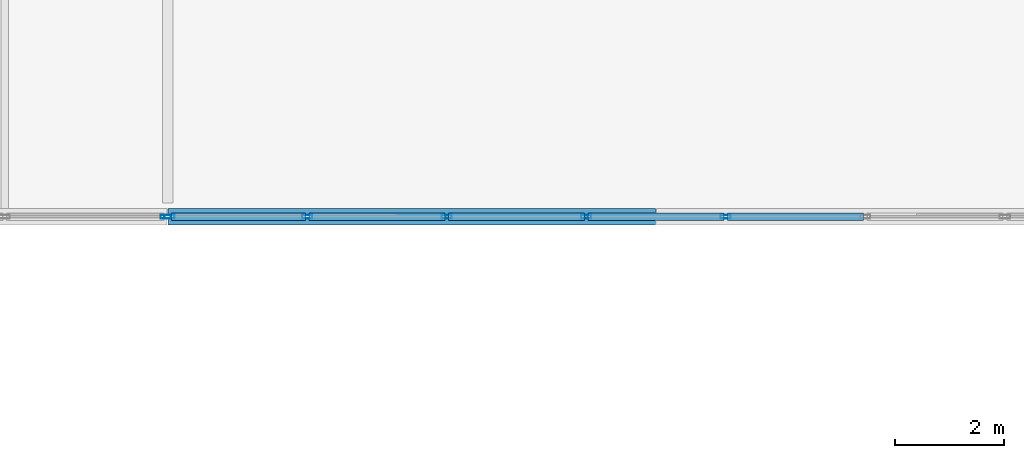
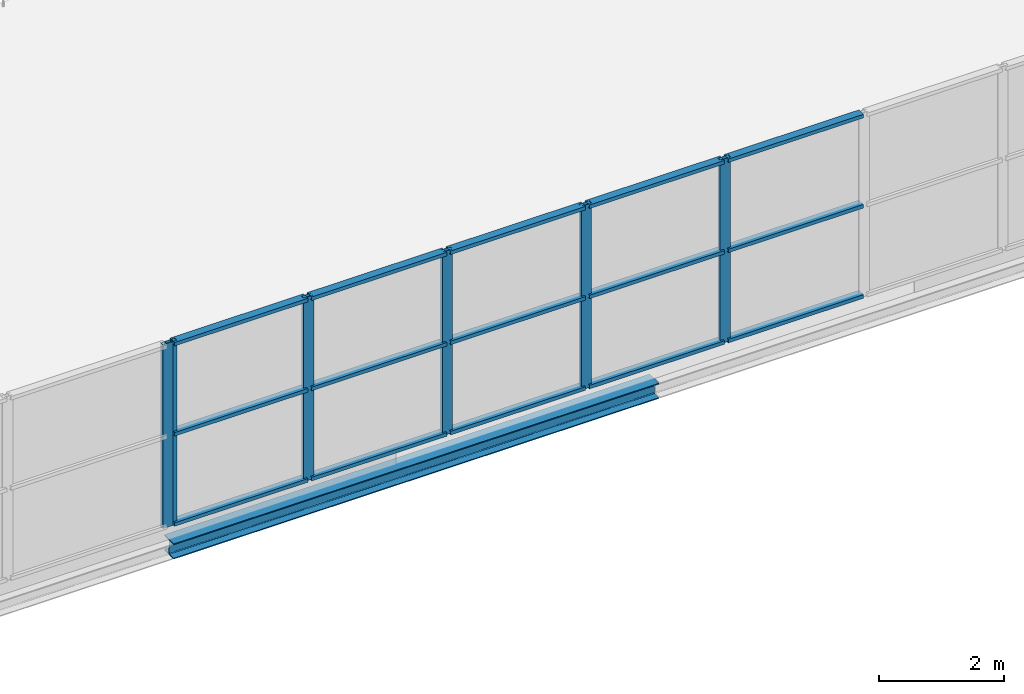
# One storey, part 20 of 88: 21 members, 1 beam, 2 elements without a shape of their own.
"""IFC4 building model written with IfcOpenShell, lengths in metres."""

from ifc_helpers import new_model, si_unit, direction, frame, origin, origin_2d, place, context, subcontext, project, spatial, hollow_rectangle, i_section, extrude, material, layer, layer_set, material_profile, profile_set, type_object, element, aggregate, save


model = new_model("IFC4")

# Units and contexts
model_context = context("Model", 3, precision=1e-05, world=origin(), true_north=direction((0.0, 1.0)))
body_context = subcontext(model_context, "Body", "Model", "MODEL_VIEW")
ifc_project = project(units=[si_unit("LENGTHUNIT", "METRE"), si_unit("AREAUNIT", "SQUARE_METRE"), si_unit("VOLUMEUNIT", "CUBIC_METRE"), si_unit("PLANEANGLEUNIT", "RADIAN"), si_unit("MASSUNIT", "GRAM", prefix="KILO")], contexts=[model_context])

# Site, building, storey
site_placement = place(None, origin())
site = spatial("IfcSite", under=ifc_project, at=site_placement, CompositionType="ELEMENT")
building_placement = place(site_placement, origin())
building = spatial("IfcBuilding", under=site, at=building_placement, Name="Deido Ridge Mobility Hub", CompositionType="ELEMENT")
storey_placement = place(building_placement, frame((0.0, 0.0, 16.800048828125)))
storey = spatial("IfcBuildingStorey", under=building, at=storey_placement, Name="L04", CompositionType="ELEMENT", Elevation=16.800048828125)

# Curtain wall, member
ifc_material_1 = material(Name="Anodised aluminium EN AW-6063 T6", Category="aluminium")
ifc_layer = layer(ifc_material_1, 0.22509765625, Name="Anodised aluminium EN AW-6063 T6")
ifc_layer_set = layer_set([ifc_layer], Name="Anodised aluminium EN AW-6063 T6")
curtain_wall_type = type_object("IfcCurtainWallType", Name="CW-UF-5", PredefinedType="USERDEFINED", material=ifc_layer_set)
curtain_wall_1_placement = place(storey_placement, origin())
curtain_wall_1 = element("IfcCurtainWall", 1, at=curtain_wall_1_placement, inside=storey, type_object=curtain_wall_type, Name="Unitised curtain wall CW5", ObjectType="UNITISED FACADE", PredefinedType="USERDEFINED")
ifc_material_profile_1 = material_profile(ifc_material_1, hollow_rectangle(XDim=0.070068359375, YDim=0.18994140625, WallThickness=0.00390625, at=origin_2d()), Name="RHS 70x190x4")
ifc_profile_set_1 = profile_set([ifc_material_profile_1], Name="Anodised aluminium EN AW-6063 T6")
member_type_1 = type_object("IfcMemberType", Name="MEM-MUL-70X190", PredefinedType="MULLION", material=ifc_profile_set_1)
member_1_placement = place(storey_placement, frame((80.965087890625, 36.0, 0.0), z_axis=(0.0, 0.0, 1.0), x_axis=(0.0, 1.0, 0.0)))
member_1 = element("IfcMember", 2, at=member_1_placement, type_object=member_type_1, Name="CW5 mullion 4", PredefinedType="MULLION", context=body_context, shape_type="SweptSolid", body=[
    extrude(hollow_rectangle(XDim=0.070068359375, YDim=0.18994140625, WallThickness=0.00390625, at=origin_2d()), origin(), (0.0, 0.0, 1.0), 3.599853515625),
])
aggregate(curtain_wall_1, [member_1])

# Curtain wall, members
curtain_wall_2_placement = place(storey_placement, origin())
curtain_wall_2 = element("IfcCurtainWall", 3, at=curtain_wall_2_placement, inside=storey, type_object=curtain_wall_type, Name="Unitised curtain wall CW5", ObjectType="UNITISED FACADE", PredefinedType="USERDEFINED")
member_2_placement = place(storey_placement, frame((81.034912109375, 36.0, 0.0), z_axis=(0.0, 0.0, 1.0), x_axis=(0.0, 1.0, 0.0)))
member_2 = element("IfcMember", 4, at=member_2_placement, type_object=member_type_1, Name="CW5 mullion 1", PredefinedType="MULLION", context=body_context, shape_type="SweptSolid", body=[
    extrude(hollow_rectangle(XDim=0.070068359375, YDim=0.18994140625, WallThickness=0.00390625, at=origin_2d()), origin(), (0.0, 0.0, 1.0), 3.599853515625),
])
member_3_placement = place(storey_placement, frame((83.571533203125, 36.0, 0.0), z_axis=(0.0, 0.0, 1.0), x_axis=(0.0, 1.0, 0.0)))
member_3 = element("IfcMember", 5, at=member_3_placement, type_object=member_type_1, Name="CW5 mullion 2", PredefinedType="MULLION", context=body_context, shape_type="SweptSolid", body=[
    extrude(hollow_rectangle(XDim=0.070068359375, YDim=0.18994140625, WallThickness=0.00390625, at=origin_2d()), origin(), (0.0, 0.0, 1.0), 3.599853515625),
])
member_4_placement = place(storey_placement, frame((86.142822265625, 36.0, 0.0), z_axis=(0.0, 0.0, 1.0), x_axis=(0.0, 1.0, 0.0)))
member_4 = element("IfcMember", 6, at=member_4_placement, type_object=member_type_1, Name="CW5 mullion 3", PredefinedType="MULLION", context=body_context, shape_type="SweptSolid", body=[
    extrude(hollow_rectangle(XDim=0.070068359375, YDim=0.18994140625, WallThickness=0.00390625, at=origin_2d()), origin(), (0.0, 0.0, 1.0), 3.599853515625),
])
member_5_placement = place(storey_placement, frame((88.71435546875, 36.0, 0.0), z_axis=(0.0, 0.0, 1.0), x_axis=(0.0, 1.0, 0.0)))
member_5 = element("IfcMember", 7, at=member_5_placement, type_object=member_type_1, Name="CW5 mullion 4", PredefinedType="MULLION", context=body_context, shape_type="SweptSolid", body=[
    extrude(hollow_rectangle(XDim=0.070068359375, YDim=0.18994140625, WallThickness=0.00390625, at=origin_2d()), origin(), (0.0, 0.0, 1.0), 3.599853515625),
])
member_6_placement = place(storey_placement, frame((91.28564453125, 36.0, 0.0), z_axis=(0.0, 0.0, 1.0), x_axis=(0.0, 1.0, 0.0)))
member_6 = element("IfcMember", 8, at=member_6_placement, type_object=member_type_1, Name="CW5 mullion 5", PredefinedType="MULLION", context=body_context, shape_type="SweptSolid", body=[
    extrude(hollow_rectangle(XDim=0.070068359375, YDim=0.18994140625, WallThickness=0.00390625, at=origin_2d()), origin(), (0.0, 0.0, 1.0), 3.599853515625),
])
ifc_material_profile_2 = material_profile(ifc_material_1, hollow_rectangle(XDim=0.14501953125, YDim=0.070068359375, WallThickness=0.00390625, at=origin_2d()), Name="RHS 145x70x4")
ifc_profile_set_2 = profile_set([ifc_material_profile_2], Name="Anodised aluminium EN AW-6063 T6")
member_type_2 = type_object("IfcMemberType", Name="MEM-TRN-145X70", PredefinedType="USERDEFINED", material=ifc_profile_set_2)
member_7_placement = place(storey_placement, frame((81.070068359375, 36.0, 0.034912109375), z_axis=(1.0, 0.0, 0.0), x_axis=(0.0, 1.0, 0.0)))
member_7 = element("IfcMember", 9, at=member_7_placement, type_object=member_type_2, Name="CW5 transom 1.1", ObjectType="TRANSOM", PredefinedType="USERDEFINED", context=body_context, shape_type="SweptSolid", body=[
    extrude(hollow_rectangle(XDim=0.14501953125, YDim=0.070068359375, WallThickness=0.00390625, at=origin_2d()), origin(), (0.0, 0.0, 1.0), 2.46630859375),
])
member_8_placement = place(storey_placement, frame((81.070068359375, 36.0, 1.800048828125), z_axis=(1.0, 0.0, 0.0), x_axis=(0.0, 1.0, 0.0)))
member_8 = element("IfcMember", 10, at=member_8_placement, type_object=member_type_2, Name="CW5 transom 1.2", ObjectType="TRANSOM", PredefinedType="USERDEFINED", context=body_context, shape_type="SweptSolid", body=[
    extrude(hollow_rectangle(XDim=0.14501953125, YDim=0.070068359375, WallThickness=0.00390625, at=origin_2d()), origin(), (0.0, 0.0, 1.0), 2.46630859375),
])
member_9_placement = place(storey_placement, frame((81.070068359375, 36.0, 3.56494140625), z_axis=(1.0, 0.0, 0.0), x_axis=(0.0, 1.0, 0.0)))
member_9 = element("IfcMember", 11, at=member_9_placement, type_object=member_type_2, Name="CW5 transom 1.3", ObjectType="TRANSOM", PredefinedType="USERDEFINED", context=body_context, shape_type="SweptSolid", body=[
    extrude(hollow_rectangle(XDim=0.14501953125, YDim=0.070068359375, WallThickness=0.00390625, at=origin_2d()), origin(), (0.0, 0.0, 1.0), 2.46630859375),
])
member_10_placement = place(storey_placement, frame((83.6064453125, 36.0, 0.034912109375), z_axis=(1.0, 0.0, 0.0), x_axis=(0.0, 1.0, 0.0)))
member_10 = element("IfcMember", 12, at=member_10_placement, type_object=member_type_2, Name="CW5 transom 2.1", ObjectType="TRANSOM", PredefinedType="USERDEFINED", context=body_context, shape_type="SweptSolid", body=[
    extrude(hollow_rectangle(XDim=0.14501953125, YDim=0.070068359375, WallThickness=0.00390625, at=origin_2d()), origin(), (0.0, 0.0, 1.0), 2.50146484375),
])
member_11_placement = place(storey_placement, frame((83.6064453125, 36.0, 1.800048828125), z_axis=(1.0, 0.0, 0.0), x_axis=(0.0, 1.0, 0.0)))
member_11 = element("IfcMember", 13, at=member_11_placement, type_object=member_type_2, Name="CW5 transom 2.2", ObjectType="TRANSOM", PredefinedType="USERDEFINED", context=body_context, shape_type="SweptSolid", body=[
    extrude(hollow_rectangle(XDim=0.14501953125, YDim=0.070068359375, WallThickness=0.00390625, at=origin_2d()), origin(), (0.0, 0.0, 1.0), 2.50146484375),
])
member_12_placement = place(storey_placement, frame((83.6064453125, 36.0, 3.56494140625), z_axis=(1.0, 0.0, 0.0), x_axis=(0.0, 1.0, 0.0)))
member_12 = element("IfcMember", 14, at=member_12_placement, type_object=member_type_2, Name="CW5 transom 2.3", ObjectType="TRANSOM", PredefinedType="USERDEFINED", context=body_context, shape_type="SweptSolid", body=[
    extrude(hollow_rectangle(XDim=0.14501953125, YDim=0.070068359375, WallThickness=0.00390625, at=origin_2d()), origin(), (0.0, 0.0, 1.0), 2.50146484375),
])
member_13_placement = place(storey_placement, frame((86.177978515625, 36.0, 0.034912109375), z_axis=(1.0, 0.0, 0.0), x_axis=(0.0, 1.0, 0.0)))
member_13 = element("IfcMember", 15, at=member_13_placement, type_object=member_type_2, Name="CW5 transom 3.1", ObjectType="TRANSOM", PredefinedType="USERDEFINED", context=body_context, shape_type="SweptSolid", body=[
    extrude(hollow_rectangle(XDim=0.14501953125, YDim=0.070068359375, WallThickness=0.00390625, at=origin_2d()), origin(), (0.0, 0.0, 1.0), 2.501220703125),
])
member_14_placement = place(storey_placement, frame((86.177978515625, 36.0, 1.800048828125), z_axis=(1.0, 0.0, 0.0), x_axis=(0.0, 1.0, 0.0)))
member_14 = element("IfcMember", 16, at=member_14_placement, type_object=member_type_2, Name="CW5 transom 3.2", ObjectType="TRANSOM", PredefinedType="USERDEFINED", context=body_context, shape_type="SweptSolid", body=[
    extrude(hollow_rectangle(XDim=0.14501953125, YDim=0.070068359375, WallThickness=0.00390625, at=origin_2d()), origin(), (0.0, 0.0, 1.0), 2.501220703125),
])
member_15_placement = place(storey_placement, frame((86.177978515625, 36.0, 3.56494140625), z_axis=(1.0, 0.0, 0.0), x_axis=(0.0, 1.0, 0.0)))
member_15 = element("IfcMember", 17, at=member_15_placement, type_object=member_type_2, Name="CW5 transom 3.3", ObjectType="TRANSOM", PredefinedType="USERDEFINED", context=body_context, shape_type="SweptSolid", body=[
    extrude(hollow_rectangle(XDim=0.14501953125, YDim=0.070068359375, WallThickness=0.00390625, at=origin_2d()), origin(), (0.0, 0.0, 1.0), 2.501220703125),
])
member_16_placement = place(storey_placement, frame((88.749267578125, 36.0, 0.034912109375), z_axis=(1.0, 0.0, 0.0), x_axis=(0.0, 1.0, 0.0)))
member_16 = element("IfcMember", 18, at=member_16_placement, type_object=member_type_2, Name="CW5 transom 4.1", ObjectType="TRANSOM", PredefinedType="USERDEFINED", context=body_context, shape_type="SweptSolid", body=[
    extrude(hollow_rectangle(XDim=0.14501953125, YDim=0.070068359375, WallThickness=0.00390625, at=origin_2d()), origin(), (0.0, 0.0, 1.0), 2.50146484375),
])
member_17_placement = place(storey_placement, frame((88.749267578125, 36.0, 1.800048828125), z_axis=(1.0, 0.0, 0.0), x_axis=(0.0, 1.0, 0.0)))
member_17 = element("IfcMember", 19, at=member_17_placement, type_object=member_type_2, Name="CW5 transom 4.2", ObjectType="TRANSOM", PredefinedType="USERDEFINED", context=body_context, shape_type="SweptSolid", body=[
    extrude(hollow_rectangle(XDim=0.14501953125, YDim=0.070068359375, WallThickness=0.00390625, at=origin_2d()), origin(), (0.0, 0.0, 1.0), 2.50146484375),
])
member_18_placement = place(storey_placement, frame((88.749267578125, 36.0, 3.56494140625), z_axis=(1.0, 0.0, 0.0), x_axis=(0.0, 1.0, 0.0)))
member_18 = element("IfcMember", 20, at=member_18_placement, type_object=member_type_2, Name="CW5 transom 4.3", ObjectType="TRANSOM", PredefinedType="USERDEFINED", context=body_context, shape_type="SweptSolid", body=[
    extrude(hollow_rectangle(XDim=0.14501953125, YDim=0.070068359375, WallThickness=0.00390625, at=origin_2d()), origin(), (0.0, 0.0, 1.0), 2.50146484375),
])
member_19_placement = place(storey_placement, frame((91.32080078125, 36.0, 0.034912109375), z_axis=(1.0, 0.0, 0.0), x_axis=(0.0, 1.0, 0.0)))
member_19 = element("IfcMember", 21, at=member_19_placement, type_object=member_type_2, Name="CW5 transom 5.1", ObjectType="TRANSOM", PredefinedType="USERDEFINED", context=body_context, shape_type="SweptSolid", body=[
    extrude(hollow_rectangle(XDim=0.14501953125, YDim=0.070068359375, WallThickness=0.00390625, at=origin_2d()), origin(), (0.0, 0.0, 1.0), 2.501220703125),
])
member_20_placement = place(storey_placement, frame((91.32080078125, 36.0, 1.800048828125), z_axis=(1.0, 0.0, 0.0), x_axis=(0.0, 1.0, 0.0)))
member_20 = element("IfcMember", 22, at=member_20_placement, type_object=member_type_2, Name="CW5 transom 5.2", ObjectType="TRANSOM", PredefinedType="USERDEFINED", context=body_context, shape_type="SweptSolid", body=[
    extrude(hollow_rectangle(XDim=0.14501953125, YDim=0.070068359375, WallThickness=0.00390625, at=origin_2d()), origin(), (0.0, 0.0, 1.0), 2.501220703125),
])
member_21_placement = place(storey_placement, frame((91.32080078125, 36.0, 3.56494140625), z_axis=(1.0, 0.0, 0.0), x_axis=(0.0, 1.0, 0.0)))
member_21 = element("IfcMember", 23, at=member_21_placement, type_object=member_type_2, Name="CW5 transom 5.3", ObjectType="TRANSOM", PredefinedType="USERDEFINED", context=body_context, shape_type="SweptSolid", body=[
    extrude(hollow_rectangle(XDim=0.14501953125, YDim=0.070068359375, WallThickness=0.00390625, at=origin_2d()), origin(), (0.0, 0.0, 1.0), 2.501220703125),
])
aggregate(curtain_wall_2, [member_2, member_3, member_4, member_5, member_6, member_7, member_8, member_9, member_10, member_11, member_12, member_13, member_14, member_15, member_16, member_17, member_18, member_19, member_20, member_21])

# Beam
ifc_material_2 = material(Name="Steel S355J2 EN 10025-2", Category="steel")
ifc_material_profile_3 = material_profile(ifc_material_2, i_section(OverallWidth=0.300048828125, OverallDepth=0.300048828125, WebThickness=0.010986328125, FlangeThickness=0.01904296875, FilletRadius=0.027099609375, at=origin_2d()), Name="HEB 300")
ifc_profile_set_3 = profile_set([ifc_material_profile_3], Name="Steel S355J2 EN 10025-2")
beam_type = type_object("IfcBeamType", Name="SPD-HEB300", PredefinedType="SPANDREL", material=ifc_profile_set_3)
beam_placement = place(storey_placement, frame((81.007080078125, 36.0, -0.425048828125), z_axis=(1.0, 0.0, 0.0), x_axis=(0.0, 1.0, 0.0)))
element("IfcBeam", 24, at=beam_placement, inside=storey, type_object=beam_type, Name="Floor beam SP1", PredefinedType="SPANDREL", context=body_context, shape_type="SweptSolid", body=[
    extrude(i_section(OverallWidth=0.300048828125, OverallDepth=0.300048828125, WebThickness=0.010986328125, FlangeThickness=0.01904296875, FilletRadius=0.027099609375, at=origin_2d()), origin(), (0.0, 0.0, 1.0), 8.98583984375),
])

save(model, "model.ifc")
